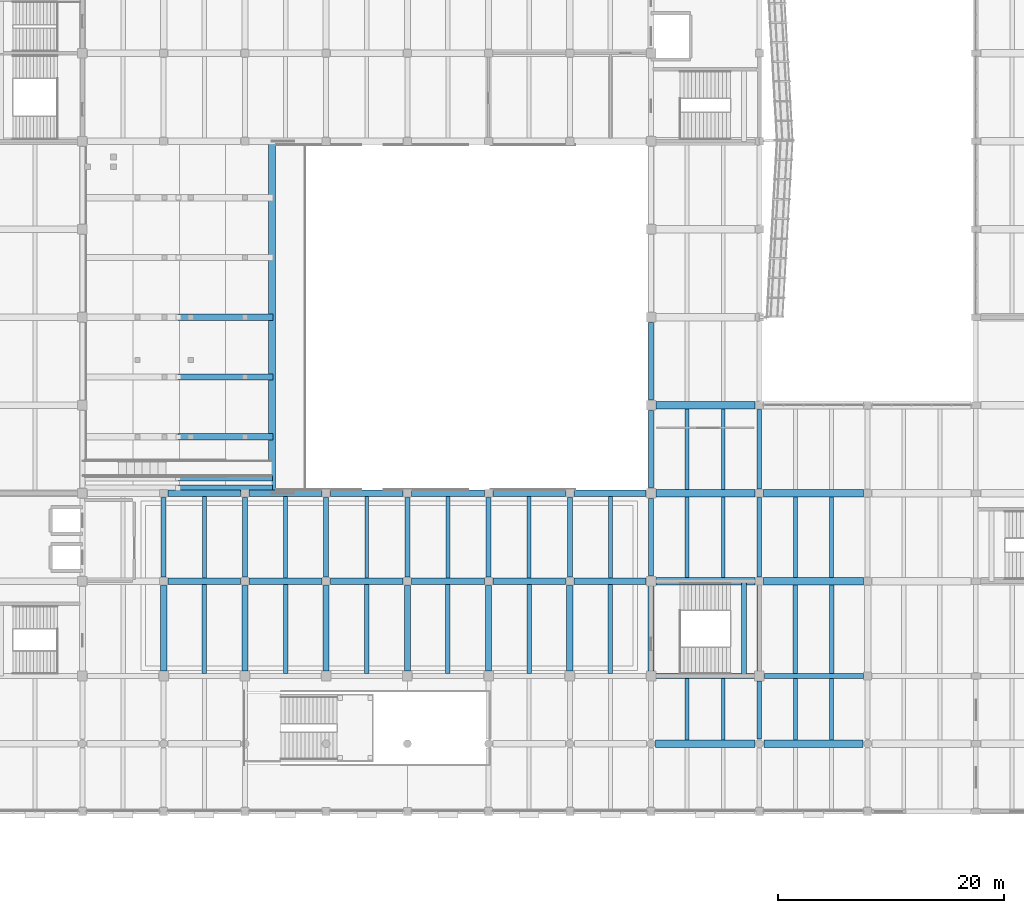
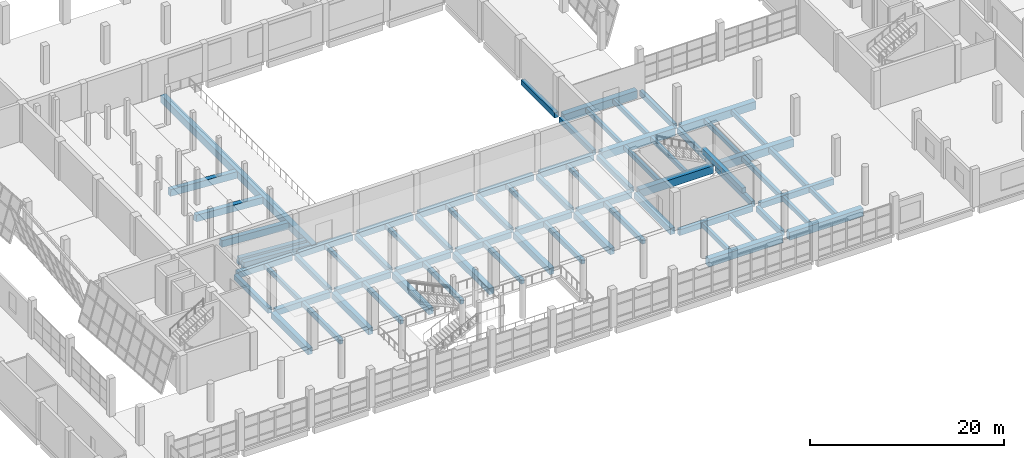
# One storey, part 42 of 91: 72 beams.
"""IFC4 building model written with IfcOpenShell, lengths in metres."""

import ifcopenshell
import ifcopenshell.guid

model = None  # the IFC model being written
_history = None  # IfcOwnerHistory: only IFC2X3 demands one
_inside = {}  # id of a spatial element -> (the spatial element, [elements in it])
_under = {}  # id of a project, library or spatial element -> (it, [spatial elements below it])
_declared = {}  # id of a project -> (the project, [libraries it declares])
_typed = {}  # id of a type object -> (the type object, [elements of that type])
_made_of = {}  # id of a material, layer set ... -> (it, [elements and type objects made of it])


def new_model(schema):
    """Start an empty IFC model of exactly this schema.

    Asked for "IFC4X3", IfcOpenShell would pick the latest addendum, in which some entities
    have other attributes; the version numbers below select the first issue.
    IFC2X3 requires an IfcOwnerHistory on every rooted entity: one is made here for all.
    """
    global model, _history
    if schema == "IFC4X3":
        model = ifcopenshell.file(schema_version=(4, 3, 0, 0))
    else:
        model = ifcopenshell.file(schema=schema)
    _inside.clear()
    _under.clear()
    _declared.clear()
    _typed.clear()
    _made_of.clear()
    _history = None
    if model.schema == "IFC2X3":
        org = make("IfcOrganization", Name="unknown")
        user = make(
            "IfcPersonAndOrganization",
            ThePerson=make("IfcPerson", FamilyName="unknown"),
            TheOrganization=org,
        )
        app = make(
            "IfcApplication",
            ApplicationDeveloper=org,
            Version="unknown",
            ApplicationFullName="unknown",
            ApplicationIdentifier="unknown",
        )
        _history = make(
            "IfcOwnerHistory",
            OwningUser=user,
            OwningApplication=app,
            ChangeAction="ADDED",
            CreationDate=0,
        )
    return model


def make(cls, **values):
    """One entity of the class cls with the attributes given. An attribute that is None is left unset."""
    return model.create_entity(
        cls, **{name: value for name, value in values.items() if value is not None}
    )


def rooted(cls, **values):
    """An entity with a GlobalId (a new one), such as an element, a storey or a relation."""
    return make(cls, GlobalId=ifcopenshell.guid.new(), OwnerHistory=_history, **values)


def si_unit(unit_type, name, prefix=None):
    """IfcSIUnit, for example si_unit("LENGTHUNIT", "METRE", prefix="MILLI")."""
    return make("IfcSIUnit", UnitType=unit_type, Prefix=prefix, Name=name)


def assignment(units):
    """IfcUnitAssignment: the units of a project."""
    return None if units is None else make("IfcUnitAssignment", Units=units)


def point(xyz):
    """IfcCartesianPoint."""
    return None if xyz is None else make("IfcCartesianPoint", Coordinates=xyz)


def direction(xyz):
    """IfcDirection."""
    return None if xyz is None else make("IfcDirection", DirectionRatios=xyz)


def frame(location, z_axis=None, x_axis=None):
    """IfcAxis2Placement3D, a coordinate frame: its origin and axes. An axis left out is left unset."""
    return make(
        "IfcAxis2Placement3D",
        Location=point(location),
        Axis=direction(z_axis),
        RefDirection=direction(x_axis),
    )


def frame_2d(location, x_axis=None):
    """IfcAxis2Placement2D, a coordinate frame in the plane: its origin and x axis."""
    return make(
        "IfcAxis2Placement2D", Location=point(location), RefDirection=direction(x_axis)
    )


def origin():
    """The frame at (0, 0, 0) with its axes left unset."""
    return frame((0.0, 0.0, 0.0))


def origin_2d():
    """The frame at (0, 0) in the plane with its x axis left unset."""
    return frame_2d((0.0, 0.0))


def place(relative_to, where):
    """IfcLocalPlacement: puts the frame where relative to a parent placement (None: the world)."""
    return make(
        "IfcLocalPlacement", PlacementRelTo=relative_to, RelativePlacement=where
    )


def context(
    kind, dimensions, precision=None, world=None, true_north=None, identifier=None
):
    """IfcGeometricRepresentationContext, for example the 3D "Model" context."""
    return make(
        "IfcGeometricRepresentationContext",
        ContextIdentifier=identifier,
        ContextType=kind,
        CoordinateSpaceDimension=dimensions,
        Precision=precision,
        WorldCoordinateSystem=world,
        TrueNorth=true_north,
    )


def subcontext(parent, identifier, kind, view, scale=None):
    """IfcGeometricRepresentationSubContext, for example "Body" below "Model"."""
    return make(
        "IfcGeometricRepresentationSubContext",
        ContextIdentifier=identifier,
        ContextType=kind,
        ParentContext=parent,
        TargetScale=scale,
        TargetView=view,
    )


def project(units=None, contexts=None):
    """IfcProject with its units and contexts."""
    return rooted(
        "IfcProject",
        Name="project",
        RepresentationContexts=contexts,
        UnitsInContext=assignment(units),
    )


def spatial(cls, under=None, at=None, **own):
    """A site, building, storey or space (cls), placed at a placement, below another one or the project."""
    s = rooted(cls, ObjectPlacement=at, **own)
    if under is not None:
        _under.setdefault(under.id(), (under, []))[1].append(s)
    return s


def profile(cls, at=None, kind="AREA", **sizes):
    """A parametric profile (cls). Its sizes go by their IFC names, for example OverallWidth=200.0."""
    return make(cls, ProfileType=kind, Position=at, **sizes)


def rectangle(**sizes):
    """IfcRectangleProfileDef."""
    return profile("IfcRectangleProfileDef", **sizes)


def extrude(swept, where, along, depth):
    """IfcExtrudedAreaSolid: the profile swept, set in the frame where, extruded along a direction by depth."""
    return make(
        "IfcExtrudedAreaSolid",
        SweptArea=swept,
        Position=where,
        ExtrudedDirection=direction(along),
        Depth=depth,
    )


def shape(context_of_items, identifier, shape_type, items):
    """IfcShapeRepresentation: the items that make up one representation, for example the "Body"."""
    return make(
        "IfcShapeRepresentation",
        ContextOfItems=context_of_items,
        RepresentationIdentifier=identifier,
        RepresentationType=shape_type,
        Items=items,
    )


def material(Name=None, Category=None):
    """IfcMaterial."""
    return make("IfcMaterial", Name=Name, Category=Category)


def material_profile(
    of_material, cross_section, Name=None, Category=None, Priority=None
):
    """IfcMaterialProfile: a cross section and its material."""
    return make(
        "IfcMaterialProfile",
        Name=Name,
        Material=of_material,
        Profile=cross_section,
        Priority=Priority,
        Category=Category,
    )


def profile_set(profiles, Name=None, composite=None):
    """IfcMaterialProfileSet."""
    return make(
        "IfcMaterialProfileSet",
        Name=Name,
        MaterialProfiles=profiles,
        CompositeProfile=composite,
    )


def made_of(thing, what):
    """Note that an element or type object is made of a material, layer set ...; save() writes the relation."""
    if what is not None:
        _made_of.setdefault(what.id(), (what, []))[1].append(thing)
    return thing


def type_object(cls, material=None, **own):
    """A type object (cls), such as IfcWallType, which elements share."""
    return made_of(rooted(cls, **own), material)


def element(
    cls,
    number,
    at=None,
    inside=None,
    cuts=None,
    type_object=None,
    material=None,
    context=None,
    identifier="Body",
    shape_type=None,
    held_by="IfcProductDefinitionShape",
    body=None,
    shapes=None,
    **own,
):
    """One element of the class cls, such as IfcWall. Its Tag is "e" and its number.

    at: its placement. inside: the storey or other place that contains it. cuts: it is an
    opening in that element (IfcRelVoidsElement). A single representation is given by context,
    identifier, shape_type and body (its items); several are given by shapes. held_by: the class
    of the entity that holds the representations. save() writes the other relations.
    """
    e = rooted(cls, Tag="e%d" % number, ObjectPlacement=at, **own)
    if body is not None:
        shapes = [shape(context, identifier, shape_type, body)]
    if shapes is not None:
        e.Representation = make(held_by, Representations=shapes)
    if inside is not None:
        _inside.setdefault(inside.id(), (inside, []))[1].append(e)
    if cuts is not None:
        rooted(
            "IfcRelVoidsElement", RelatingBuildingElement=cuts, RelatedOpeningElement=e
        )
    if type_object is not None:
        _typed.setdefault(type_object.id(), (type_object, []))[1].append(e)
    return made_of(e, material)


def aggregate(whole, parts):
    """IfcRelAggregates: a whole, such as a stair, and the parts it consists of."""
    return rooted("IfcRelAggregates", RelatingObject=whole, RelatedObjects=parts)


def save(model, path):
    """Write the relations noted so far, then the file.

    IfcRelAggregates (storeys below a building ...), IfcRelContainedInSpatialStructure (elements
    in a storey), IfcRelDefinesByType, IfcRelAssociatesMaterial and IfcRelDeclares: one each for
    every whole, place, type object, material and project.
    """
    for whole, parts in _under.values():
        aggregate(whole, parts)
    for where, things in _inside.values():
        rooted(
            "IfcRelContainedInSpatialStructure",
            RelatedElements=things,
            RelatingStructure=where,
        )
    for kind, things in _typed.values():
        rooted("IfcRelDefinesByType", RelatedObjects=things, RelatingType=kind)
    for what, things in _made_of.values():
        rooted("IfcRelAssociatesMaterial", RelatedObjects=things, RelatingMaterial=what)
    for by, libraries in _declared.values():
        rooted("IfcRelDeclares", RelatingContext=by, RelatedDefinitions=libraries)
    model.write(path)


model = new_model("IFC4")

# Units and contexts
model_context = context("Model", 3, precision=1e-05, world=origin(), true_north=direction((0.0, 1.0)))
body_context = subcontext(model_context, "Body", "Model", "MODEL_VIEW")
ifc_project = project(units=[si_unit("LENGTHUNIT", "METRE"), si_unit("AREAUNIT", "SQUARE_METRE"), si_unit("VOLUMEUNIT", "CUBIC_METRE"), si_unit("PLANEANGLEUNIT", "RADIAN"), si_unit("MASSUNIT", "GRAM", prefix="KILO")], contexts=[model_context])

# Site, building, storey
site_placement = place(None, origin())
site = spatial("IfcSite", under=ifc_project, at=site_placement, CompositionType="ELEMENT")
building_placement = place(site_placement, origin())
building = spatial("IfcBuilding", under=site, at=building_placement, Name="Pellamere Symphony Hall", CompositionType="ELEMENT")
storey_placement = place(building_placement, frame((0.0, 0.0, 5.39990234375)))
storey = spatial("IfcBuildingStorey", under=building, at=storey_placement, Name="L01", CompositionType="ELEMENT", Elevation=5.39990234375)

# Beams
ifc_material_1 = material(Name="Concrete 40 MPa", Category="concrete")
ifc_material_profile_1 = material_profile(ifc_material_1, rectangle(XDim=0.64990234375, YDim=0.949951171875, at=origin_2d()), Name="RC 650x950")
ifc_profile_set_1 = profile_set([ifc_material_profile_1], Name="Concrete 40 MPa")
beam_type_1 = type_object("IfcBeamType", Name="RC CB-03 650x950", PredefinedType="BEAM", material=ifc_profile_set_1)
beam_1_placement = place(storey_placement, frame((75.60009765625, 46.199951171875, -0.60498046875), z_axis=(0.0, 1.0, 0.0), x_axis=(-1.0, 0.0, 0.0)))
element("IfcBeam", 1, at=beam_1_placement, inside=storey, type_object=beam_type_1, Name="Stand Dress Circle Raker Support Girder 22", PredefinedType="BEAM", context=body_context, shape_type="SweptSolid", body=[
    extrude(rectangle(XDim=0.64990234375, YDim=0.949951171875, at=origin_2d()), origin(), (0.0, 0.0, 1.0), 31.199951171875),
])
ifc_material_profile_2 = material_profile(ifc_material_1, rectangle(XDim=0.550048828125, YDim=0.800048828125, at=origin_2d()), Name="RC 550x800")
ifc_profile_set_2 = profile_set([ifc_material_profile_2], Name="Concrete 40 MPa")
beam_type_2 = type_object("IfcBeamType", Name="RC CB-05 550x800", PredefinedType="BEAM", material=ifc_profile_set_2)
for number, where, z_axis, x_axis, name in (
    (2, (66.0, 30.449951171875, -0.679931640625), (0.0, 1.0, 0.0), (-1.0, 0.0, 0.0), "Girder CB-05-Y0771 (L01)"),
    (3, (73.199951171875, 30.449951171875, -0.679931640625), (0.0, 1.0, 0.0), (-1.0, 0.0, 0.0), "Girder CB-05-Y0777 (L01)"),
    (4, (80.39990234375, 30.449951171875, -0.679931640625), (0.0, 1.0, 0.0), (-1.0, 0.0, 0.0), "Girder CB-05-Y0781 (L01)"),
    (5, (87.60009765625, 30.449951171875, -0.679931640625), (0.0, 1.0, 0.0), (-1.0, 0.0, 0.0), "Girder CB-05-Y0785 (L01)"),
    (6, (94.800048828125, 30.449951171875, -0.679931640625), (0.0, 1.0, 0.0), (-1.0, 0.0, 0.0), "Girder CB-05-Y0794 (L01)"),
    (7, (102.0, 30.449951171875, -0.679931640625), (0.0, 1.0, 0.0), (-1.0, 0.0, 0.0), "Girder CB-05-Y0803 (L01)"),
):
    element("IfcBeam", number, at=place(storey_placement, frame(where, z_axis=z_axis, x_axis=x_axis)), inside=storey, type_object=beam_type_2, Name=name, PredefinedType="BEAM", context=body_context, shape_type="SweptSolid", body=[
        extrude(rectangle(XDim=0.550048828125, YDim=0.800048828125, at=origin_2d()), origin(), (0.0, 0.0, 1.0), 7.574951171875),
    ])
beam_2_placement = place(storey_placement, frame((109.199951171875, 30.449951171875, -0.679931640625), z_axis=(0.0, 1.0, 0.0), x_axis=(-1.0, 0.0, 0.0)))
element("IfcBeam", 8, at=beam_2_placement, inside=storey, type_object=beam_type_2, Name="Girder CB-05-Y0812 (L01)", PredefinedType="BEAM", context=body_context, shape_type="SweptSolid", body=[
    extrude(rectangle(XDim=0.550048828125, YDim=0.800048828125, at=origin_2d()), origin(), (0.0, 0.0, 1.0), 7.5),
])
ifc_material_profile_3 = material_profile(ifc_material_1, rectangle(XDim=0.449951171875, YDim=0.64990234375, at=origin_2d()), Name="RC 450x650")
ifc_profile_set_3 = profile_set([ifc_material_profile_3], Name="Concrete 40 MPa")
beam_type_3 = type_object("IfcBeamType", Name="RC CB-08 450x650", PredefinedType="BEAM", material=ifc_profile_set_3)
for number, where, z_axis, x_axis, name in (
    (9, (66.0, 38.77490234375, -0.60498046875), (0.0, 1.0, 0.0), (-1.0, 0.0, 0.0), "Girder CB-08-Y0772 (L01)"),
    (10, (73.199951171875, 38.77490234375, -0.60498046875), (0.0, 1.0, 0.0), (-1.0, 0.0, 0.0), "Girder CB-08-Y0778 (L01)"),
    (11, (80.39990234375, 38.77490234375, -0.60498046875), (0.0, 1.0, 0.0), (-1.0, 0.0, 0.0), "Girder CB-08-Y0782 (L01)"),
    (12, (87.60009765625, 38.77490234375, -0.60498046875), (0.0, 1.0, 0.0), (-1.0, 0.0, 0.0), "Girder CB-08-Y0786 (L01)"),
    (13, (94.800048828125, 38.77490234375, -0.60498046875), (0.0, 1.0, 0.0), (-1.0, 0.0, 0.0), "Girder CB-08-Y0795 (L01)"),
    (14, (102.0, 38.77490234375, -0.60498046875), (0.0, 1.0, 0.0), (-1.0, 0.0, 0.0), "Girder CB-08-Y0804 (L01)"),
):
    element("IfcBeam", number, at=place(storey_placement, frame(where, z_axis=z_axis, x_axis=x_axis)), inside=storey, type_object=beam_type_3, Name=name, PredefinedType="BEAM", context=body_context, shape_type="SweptSolid", body=[
        extrude(rectangle(XDim=0.449951171875, YDim=0.64990234375, at=origin_2d()), origin(), (0.0, 0.0, 1.0), 7.050048828125),
    ])
beam_3_placement = place(storey_placement, frame((109.199951171875, 38.85009765625, -0.60498046875), z_axis=(0.0, 1.0, 0.0), x_axis=(-1.0, 0.0, 0.0)))
element("IfcBeam", 15, at=beam_3_placement, inside=storey, type_object=beam_type_3, Name="Girder CB-08-Y0813 (L01)", PredefinedType="BEAM", context=body_context, shape_type="SweptSolid", body=[
    extrude(rectangle(XDim=0.449951171875, YDim=0.64990234375, at=origin_2d()), origin(), (0.0, 0.0, 1.0), 6.89990234375),
])
for number, where, z_axis, x_axis, name in (
    (16, (109.199951171875, 46.64990234375, -0.60498046875), (0.0, 1.0, 0.0), (-1.0, 0.0, 0.0), "Girder CB-08-Y0814 (L01)"),
    (17, (109.199951171875, 54.449951171875, -0.60498046875), (0.0, 1.0, 0.0), (-1.0, 0.0, 0.0), "Girder CB-08-Y0815 (L01)"),
):
    element("IfcBeam", number, at=place(storey_placement, frame(where, z_axis=z_axis, x_axis=x_axis)), inside=storey, type_object=beam_type_3, Name=name, PredefinedType="BEAM", context=body_context, shape_type="SweptSolid", body=[
        extrude(rectangle(XDim=0.449951171875, YDim=0.64990234375, at=origin_2d()), origin(), (0.0, 0.0, 1.0), 6.900146484375),
    ])
beam_4_placement = place(storey_placement, frame((117.4326171875, 29.97998046875, 1.85498046875), z_axis=(0.0, 1.0, 0.0), x_axis=(-1.0, 0.0, 0.0)))
element("IfcBeam", 18, at=beam_4_placement, inside=storey, type_object=beam_type_3, Name="Stair ST08-L01 Half Landing Support Beam (L01)", PredefinedType="BEAM", context=body_context, shape_type="SweptSolid", body=[
    extrude(rectangle(XDim=0.449951171875, YDim=0.64990234375, at=origin_2d()), origin(), (0.0, 0.0, 1.0), 8.43994140625),
])
ifc_material_profile_4 = material_profile(ifc_material_1, rectangle(XDim=0.39990234375, YDim=0.60009765625, at=origin_2d()), Name="RC 400x600")
ifc_profile_set_4 = profile_set([ifc_material_profile_4], Name="Concrete 40 MPa")
beam_type_4 = type_object("IfcBeamType", Name="RC CB-09 400x600", PredefinedType="BEAM", material=ifc_profile_set_4)
for number, where, z_axis, x_axis, name in (
    (19, (69.60009765625, 30.22509765625, -0.594970703125), (0.0, 1.0, 0.0), (-1.0, 0.0, 0.0), "Secondary Floor Beam CB-09-M0804 (L01)"),
    (20, (76.800048828125, 30.22509765625, -0.594970703125), (0.0, 1.0, 0.0), (-1.0, 0.0, 0.0), "Secondary Floor Beam CB-09-M0904 (L01)"),
    (21, (84.0, 30.22509765625, -0.594970703125), (0.0, 1.0, 0.0), (-1.0, 0.0, 0.0), "Secondary Floor Beam CB-09-M1004 (L01)"),
    (22, (91.199951171875, 30.22509765625, -0.594970703125), (0.0, 1.0, 0.0), (-1.0, 0.0, 0.0), "Secondary Floor Beam CB-09-M1104 (L01)"),
    (23, (98.39990234375, 30.22509765625, -0.594970703125), (0.0, 1.0, 0.0), (-1.0, 0.0, 0.0), "Secondary Floor Beam CB-09-M1204 (L01)"),
    (24, (105.60009765625, 30.22509765625, -0.594970703125), (0.0, 1.0, 0.0), (-1.0, 0.0, 0.0), "Secondary Floor Beam CB-09-M1304 (L01)"),
):
    element("IfcBeam", number, at=place(storey_placement, frame(where, z_axis=z_axis, x_axis=x_axis)), inside=storey, type_object=beam_type_4, Name=name, PredefinedType="BEAM", context=body_context, shape_type="SweptSolid", body=[
        extrude(rectangle(XDim=0.39990234375, YDim=0.60009765625, at=origin_2d()), origin(), (0.0, 0.0, 1.0), 7.89501953125),
    ])
for number, where, z_axis, x_axis, name in (
    (25, (122.0, 30.22509765625, -0.594970703125), (0.0, 1.0, 0.0), (-1.0, 0.0, 0.0), "Secondary Floor Beam CB-09-A1504 (L01)"),
    (26, (125.199951171875, 30.22509765625, -0.594970703125), (0.0, 1.0, 0.0), (-1.0, 0.0, 0.0), "Secondary Floor Beam CB-09-B1504 (L01)"),
):
    element("IfcBeam", number, at=place(storey_placement, frame(where, z_axis=z_axis, x_axis=x_axis)), inside=storey, type_object=beam_type_4, Name=name, PredefinedType="BEAM", context=body_context, shape_type="SweptSolid", body=[
        extrude(rectangle(XDim=0.39990234375, YDim=0.60009765625, at=origin_2d()), origin(), (0.0, 0.0, 1.0), 7.8349609375),
    ])
ifc_material_2 = material(Name="Concrete 35 MPa", Category="concrete")
ifc_material_profile_5 = material_profile(ifc_material_2, rectangle(XDim=0.35009765625, YDim=0.550048828125, at=origin_2d()), Name="RC 350x550")
ifc_profile_set_5 = profile_set([ifc_material_profile_5], Name="Concrete 35 MPa")
beam_type_5 = type_object("IfcBeamType", Name="RC CB-10 350x550", PredefinedType="BEAM", material=ifc_profile_set_5)
for number, where, z_axis, x_axis, name in (
    (27, (69.60009765625, 38.679931640625, -0.56982421875), (0.0, 1.0, 0.0), (-1.0, 0.0, 0.0), "Secondary Floor Beam CB-10-M0805 (L01)"),
    (28, (76.800048828125, 38.679931640625, -0.56982421875), (0.0, 1.0, 0.0), (-1.0, 0.0, 0.0), "Secondary Floor Beam CB-10-M0905 (L01)"),
    (29, (84.0, 38.679931640625, -0.56982421875), (0.0, 1.0, 0.0), (-1.0, 0.0, 0.0), "Secondary Floor Beam CB-10-M1005 (L01)"),
    (30, (91.199951171875, 38.679931640625, -0.56982421875), (0.0, 1.0, 0.0), (-1.0, 0.0, 0.0), "Secondary Floor Beam CB-10-M1105 (L01)"),
    (31, (98.39990234375, 38.679931640625, -0.56982421875), (0.0, 1.0, 0.0), (-1.0, 0.0, 0.0), "Secondary Floor Beam CB-10-M1205 (L01)"),
    (32, (105.60009765625, 38.679931640625, -0.56982421875), (0.0, 1.0, 0.0), (-1.0, 0.0, 0.0), "Secondary Floor Beam CB-10-M1305 (L01)"),
):
    element("IfcBeam", number, at=place(storey_placement, frame(where, z_axis=z_axis, x_axis=x_axis)), inside=storey, type_object=beam_type_5, Name=name, PredefinedType="BEAM", context=body_context, shape_type="SweptSolid", body=[
        extrude(rectangle(XDim=0.35009765625, YDim=0.550048828125, at=origin_2d()), origin(), (0.0, 0.0, 1.0), 7.239990234375),
    ])
for number, where, z_axis, x_axis, name in (
    (33, (112.39990234375, 24.340087890625, -0.56982421875), (0.0, 1.0, 0.0), (-1.0, 0.0, 0.0), "Secondary Floor Beam CB-10-A1403 (L01)"),
    (34, (115.60009765625, 24.340087890625, -0.56982421875), (0.0, 1.0, 0.0), (-1.0, 0.0, 0.0), "Secondary Floor Beam CB-10-B1403 (L01)"),
):
    element("IfcBeam", number, at=place(storey_placement, frame(where, z_axis=z_axis, x_axis=x_axis)), inside=storey, type_object=beam_type_5, Name=name, PredefinedType="BEAM", context=body_context, shape_type="SweptSolid", body=[
        extrude(rectangle(XDim=0.35009765625, YDim=0.550048828125, at=origin_2d()), origin(), (0.0, 0.0, 1.0), 5.434814453125),
    ])
for number, where, z_axis, x_axis, name in (
    (35, (112.39990234375, 38.739990234375, -0.56982421875), (0.0, 1.0, 0.0), (-1.0, 0.0, 0.0), "Secondary Floor Beam CB-10-A1405 (L01)"),
    (36, (115.60009765625, 38.739990234375, -0.56982421875), (0.0, 1.0, 0.0), (-1.0, 0.0, 0.0), "Secondary Floor Beam CB-10-B1405 (L01)"),
):
    element("IfcBeam", number, at=place(storey_placement, frame(where, z_axis=z_axis, x_axis=x_axis)), inside=storey, type_object=beam_type_5, Name=name, PredefinedType="BEAM", context=body_context, shape_type="SweptSolid", body=[
        extrude(rectangle(XDim=0.35009765625, YDim=0.550048828125, at=origin_2d()), origin(), (0.0, 0.0, 1.0), 7.1201171875),
    ])
for number, where, z_axis, x_axis, name in (
    (37, (112.39990234375, 46.5400390625, -0.56982421875), (0.0, 1.0, 0.0), (-1.0, 0.0, 0.0), "Secondary Floor Beam CB-10-A1406 (L01)"),
    (38, (115.60009765625, 46.5400390625, -0.56982421875), (0.0, 1.0, 0.0), (-1.0, 0.0, 0.0), "Secondary Floor Beam CB-10-B1406 (L01)"),
):
    element("IfcBeam", number, at=place(storey_placement, frame(where, z_axis=z_axis, x_axis=x_axis)), inside=storey, type_object=beam_type_5, Name=name, PredefinedType="BEAM", context=body_context, shape_type="SweptSolid", body=[
        extrude(rectangle(XDim=0.35009765625, YDim=0.550048828125, at=origin_2d()), origin(), (0.0, 0.0, 1.0), 7.119873046875),
    ])
for number, where, z_axis, x_axis, name in (
    (39, (122.0, 24.340087890625, -0.56982421875), (0.0, 1.0, 0.0), (-1.0, 0.0, 0.0), "Secondary Floor Beam CB-10-A1503 (L01)"),
    (40, (125.199951171875, 24.340087890625, -0.56982421875), (0.0, 1.0, 0.0), (-1.0, 0.0, 0.0), "Secondary Floor Beam CB-10-B1503 (L01)"),
):
    element("IfcBeam", number, at=place(storey_placement, frame(where, z_axis=z_axis, x_axis=x_axis)), inside=storey, type_object=beam_type_5, Name=name, PredefinedType="BEAM", context=body_context, shape_type="SweptSolid", body=[
        extrude(rectangle(XDim=0.35009765625, YDim=0.550048828125, at=origin_2d()), origin(), (0.0, 0.0, 1.0), 5.434814453125),
    ])
for number, where, z_axis, x_axis, name in (
    (41, (122.0, 38.739990234375, -0.56982421875), (0.0, 1.0, 0.0), (-1.0, 0.0, 0.0), "Secondary Floor Beam CB-10-A1505 (L01)"),
    (42, (125.199951171875, 38.739990234375, -0.56982421875), (0.0, 1.0, 0.0), (-1.0, 0.0, 0.0), "Secondary Floor Beam CB-10-B1505 (L01)"),
):
    element("IfcBeam", number, at=place(storey_placement, frame(where, z_axis=z_axis, x_axis=x_axis)), inside=storey, type_object=beam_type_5, Name=name, PredefinedType="BEAM", context=body_context, shape_type="SweptSolid", body=[
        extrude(rectangle(XDim=0.35009765625, YDim=0.550048828125, at=origin_2d()), origin(), (0.0, 0.0, 1.0), 7.1201171875),
    ])
ifc_material_profile_6 = material_profile(ifc_material_1, rectangle(XDim=0.449951171875, YDim=0.75, at=origin_2d()), Name="RC 450x750")
ifc_profile_set_6 = profile_set([ifc_material_profile_6], Name="Concrete 40 MPa")
beam_type_6 = type_object("IfcBeamType", Name="RC CB-12 450x750", PredefinedType="SPANDREL", material=ifc_profile_set_6)
beam_5_placement = place(storey_placement, frame((109.64990234375, 30.0, -0.65478515625), z_axis=(1.0, 0.0, 0.0), x_axis=(0.0, 1.0, 0.0)))
element("IfcBeam", 43, at=beam_5_placement, inside=storey, type_object=beam_type_6, Name="Girder CB-12-X0588 (L01)", PredefinedType="SPANDREL", context=body_context, shape_type="SweptSolid", body=[
    extrude(rectangle(XDim=0.449951171875, YDim=0.75, at=origin_2d()), origin(), (0.0, 0.0, 1.0), 8.7001953125),
])
beam_6_placement = place(storey_placement, frame((119.25, 30.0, -0.65478515625), z_axis=(1.0, 0.0, 0.0), x_axis=(0.0, 1.0, 0.0)))
element("IfcBeam", 44, at=beam_6_placement, inside=storey, type_object=beam_type_6, Name="Girder CB-12-X0589 (L01)", PredefinedType="SPANDREL", context=body_context, shape_type="SweptSolid", body=[
    extrude(rectangle(XDim=0.449951171875, YDim=0.75, at=origin_2d()), origin(), (0.0, 0.0, 1.0), 8.77490234375),
])
ifc_material_profile_7 = material_profile(ifc_material_1, rectangle(XDim=0.39990234375, YDim=0.699951171875, at=origin_2d()), Name="RC 400x700")
ifc_profile_set_7 = profile_set([ifc_material_profile_7], Name="Concrete 40 MPa")
beam_type_7 = type_object("IfcBeamType", Name="RC CB-13 400x700", PredefinedType="SPANDREL", material=ifc_profile_set_7)
beam_7_placement = place(storey_placement, frame((118.800048828125, 24.39990234375, -0.6298828125), z_axis=(0.0, 1.0, 0.0), x_axis=(-1.0, 0.0, 0.0)))
element("IfcBeam", 45, at=beam_7_placement, inside=storey, type_object=beam_type_7, Name="Girder CB-13-Y0824 (L01)", PredefinedType="SPANDREL", context=body_context, shape_type="SweptSolid", body=[
    extrude(rectangle(XDim=0.39990234375, YDim=0.699951171875, at=origin_2d()), origin(), (0.0, 0.0, 1.0), 5.150146484375),
])
beam_8_placement = place(storey_placement, frame((118.800048828125, 30.449951171875, -0.6298828125), z_axis=(0.0, 1.0, 0.0), x_axis=(-1.0, 0.0, 0.0)))
element("IfcBeam", 46, at=beam_8_placement, inside=storey, type_object=beam_type_7, Name="Girder CB-13-Y0825 (L01)", PredefinedType="SPANDREL", context=body_context, shape_type="SweptSolid", body=[
    extrude(rectangle(XDim=0.39990234375, YDim=0.699951171875, at=origin_2d()), origin(), (0.0, 0.0, 1.0), 7.574951171875),
])
for number, where, z_axis, x_axis, name in (
    (47, (118.800048828125, 38.77490234375, -0.6298828125), (0.0, 1.0, 0.0), (-1.0, 0.0, 0.0), "Girder CB-13-Y0826 (L01)"),
    (48, (118.800048828125, 46.574951171875, -0.6298828125), (0.0, 1.0, 0.0), (-1.0, 0.0, 0.0), "Girder CB-13-Y0827 (L01)"),
):
    element("IfcBeam", number, at=place(storey_placement, frame(where, z_axis=z_axis, x_axis=x_axis)), inside=storey, type_object=beam_type_7, Name=name, PredefinedType="SPANDREL", context=body_context, shape_type="SweptSolid", body=[
        extrude(rectangle(XDim=0.39990234375, YDim=0.699951171875, at=origin_2d()), origin(), (0.0, 0.0, 1.0), 7.050048828125),
    ])
ifc_material_profile_8 = material_profile(ifc_material_1, rectangle(XDim=0.56005859375, YDim=0.760009765625, at=origin_2d()), Name="RC 560x760")
ifc_profile_set_8 = profile_set([ifc_material_profile_8], Name="Concrete 40 MPa")
beam_type_8 = type_object("IfcBeamType", Name="RC CB-18 560x760", PredefinedType="BEAM", material=ifc_profile_set_8)
for number, where, z_axis, x_axis, name in (
    (49, (66.375, 38.39990234375, -0.659912109375), (1.0, 0.0, 0.0), (0.0, 1.0, 0.0), "Girder CB-18-X0602 (L01)"),
    (50, (73.574951171875, 38.39990234375, -0.659912109375), (1.0, 0.0, 0.0), (0.0, 1.0, 0.0), "Girder CB-18-X0603 (L01)"),
):
    element("IfcBeam", number, at=place(storey_placement, frame(where, z_axis=z_axis, x_axis=x_axis)), inside=storey, type_object=beam_type_8, Name=name, PredefinedType="BEAM", context=body_context, shape_type="SweptSolid", body=[
        extrude(rectangle(XDim=0.56005859375, YDim=0.760009765625, at=origin_2d()), origin(), (0.0, 0.0, 1.0), 6.449951171875),
    ])
beam_9_placement = place(storey_placement, frame((80.77490234375, 38.39990234375, -0.659912109375), z_axis=(1.0, 0.0, 0.0), x_axis=(0.0, 1.0, 0.0)))
element("IfcBeam", 51, at=beam_9_placement, inside=storey, type_object=beam_type_8, Name="Girder CB-18-X0604 (L01)", PredefinedType="BEAM", context=body_context, shape_type="SweptSolid", body=[
    extrude(rectangle(XDim=0.56005859375, YDim=0.760009765625, at=origin_2d()), origin(), (0.0, 0.0, 1.0), 6.4501953125),
])
for number, where, z_axis, x_axis, name in (
    (52, (87.97509765625, 38.39990234375, -0.659912109375), (1.0, 0.0, 0.0), (0.0, 1.0, 0.0), "Girder CB-18-X0605 (L01)"),
    (53, (95.175048828125, 38.39990234375, -0.659912109375), (1.0, 0.0, 0.0), (0.0, 1.0, 0.0), "Girder CB-18-X0606 (L01)"),
):
    element("IfcBeam", number, at=place(storey_placement, frame(where, z_axis=z_axis, x_axis=x_axis)), inside=storey, type_object=beam_type_8, Name=name, PredefinedType="BEAM", context=body_context, shape_type="SweptSolid", body=[
        extrude(rectangle(XDim=0.56005859375, YDim=0.760009765625, at=origin_2d()), origin(), (0.0, 0.0, 1.0), 6.449951171875),
    ])
beam_10_placement = place(storey_placement, frame((102.375, 38.39990234375, -0.659912109375), z_axis=(1.0, 0.0, 0.0), x_axis=(0.0, 1.0, 0.0)))
element("IfcBeam", 54, at=beam_10_placement, inside=storey, type_object=beam_type_8, Name="Girder CB-18-X0607 (L01)", PredefinedType="BEAM", context=body_context, shape_type="SweptSolid", body=[
    extrude(rectangle(XDim=0.56005859375, YDim=0.760009765625, at=origin_2d()), origin(), (0.0, 0.0, 1.0), 6.375),
])
for number, where, z_axis, x_axis, name in (
    (55, (66.375, 46.199951171875, -0.659912109375), (1.0, 0.0, 0.0), (0.0, 1.0, 0.0), "Girder CB-18-X0622 (L01)"),
    (56, (73.574951171875, 46.199951171875, -0.659912109375), (1.0, 0.0, 0.0), (0.0, 1.0, 0.0), "Girder CB-18-X0623 (L01)"),
):
    element("IfcBeam", number, at=place(storey_placement, frame(where, z_axis=z_axis, x_axis=x_axis)), inside=storey, type_object=beam_type_8, Name=name, PredefinedType="BEAM", context=body_context, shape_type="SweptSolid", body=[
        extrude(rectangle(XDim=0.56005859375, YDim=0.760009765625, at=origin_2d()), origin(), (0.0, 0.0, 1.0), 6.449951171875),
    ])
beam_11_placement = place(storey_placement, frame((80.77490234375, 46.199951171875, -0.659912109375), z_axis=(1.0, 0.0, 0.0), x_axis=(0.0, 1.0, 0.0)))
element("IfcBeam", 57, at=beam_11_placement, inside=storey, type_object=beam_type_8, Name="Girder CB-18-X0624 (L01)", PredefinedType="BEAM", context=body_context, shape_type="SweptSolid", body=[
    extrude(rectangle(XDim=0.56005859375, YDim=0.760009765625, at=origin_2d()), origin(), (0.0, 0.0, 1.0), 6.4501953125),
])
for number, where, z_axis, x_axis, name in (
    (58, (87.97509765625, 46.199951171875, -0.659912109375), (1.0, 0.0, 0.0), (0.0, 1.0, 0.0), "Girder CB-18-X0625 (L01)"),
    (59, (95.175048828125, 46.199951171875, -0.659912109375), (1.0, 0.0, 0.0), (0.0, 1.0, 0.0), "Girder CB-18-X0626 (L01)"),
):
    element("IfcBeam", number, at=place(storey_placement, frame(where, z_axis=z_axis, x_axis=x_axis)), inside=storey, type_object=beam_type_8, Name=name, PredefinedType="BEAM", context=body_context, shape_type="SweptSolid", body=[
        extrude(rectangle(XDim=0.56005859375, YDim=0.760009765625, at=origin_2d()), origin(), (0.0, 0.0, 1.0), 6.449951171875),
    ])
beam_12_placement = place(storey_placement, frame((102.375, 46.199951171875, -0.659912109375), z_axis=(1.0, 0.0, 0.0), x_axis=(0.0, 1.0, 0.0)))
element("IfcBeam", 60, at=beam_12_placement, inside=storey, type_object=beam_type_8, Name="Girder CB-18-X0627 (L01)", PredefinedType="BEAM", context=body_context, shape_type="SweptSolid", body=[
    extrude(rectangle(XDim=0.56005859375, YDim=0.760009765625, at=origin_2d()), origin(), (0.0, 0.0, 1.0), 6.375),
])
ifc_material_profile_9 = material_profile(ifc_material_1, rectangle(XDim=0.679931640625, YDim=0.97998046875, at=origin_2d()), Name="RC 680x980")
ifc_profile_set_9 = profile_set([ifc_material_profile_9], Name="Concrete 40 MPa")
beam_type_9 = type_object("IfcBeamType", Name="RC CB-22 680x980", PredefinedType="BEAM", material=ifc_profile_set_9)
beam_13_placement = place(storey_placement, frame((109.60009765625, 24.0, -0.77001953125), z_axis=(1.0, 0.0, 0.0), x_axis=(0.0, 1.0, 0.0)))
element("IfcBeam", 61, at=beam_13_placement, inside=storey, type_object=beam_type_9, Name="Girder CB-22-X0570 (L01)", PredefinedType="BEAM", context=body_context, shape_type="SweptSolid", body=[
    extrude(rectangle(XDim=0.679931640625, YDim=0.97998046875, at=origin_2d()), origin(), (0.0, 0.0, 1.0), 8.7998046875),
])
beam_14_placement = place(storey_placement, frame((119.199951171875, 24.0, -0.77001953125), z_axis=(1.0, 0.0, 0.0), x_axis=(0.0, 1.0, 0.0)))
element("IfcBeam", 62, at=beam_14_placement, inside=storey, type_object=beam_type_9, Name="Girder CB-22-X0571 (L01)", PredefinedType="BEAM", context=body_context, shape_type="SweptSolid", body=[
    extrude(rectangle(XDim=0.679931640625, YDim=0.97998046875, at=origin_2d()), origin(), (0.0, 0.0, 1.0), 8.800048828125),
])
beam_15_placement = place(storey_placement, frame((109.64990234375, 38.39990234375, -0.77001953125), z_axis=(1.0, 0.0, 0.0), x_axis=(0.0, 1.0, 0.0)))
element("IfcBeam", 63, at=beam_15_placement, inside=storey, type_object=beam_type_9, Name="Girder CB-22-X0608 (L01)", PredefinedType="BEAM", context=body_context, shape_type="SweptSolid", body=[
    extrude(rectangle(XDim=0.679931640625, YDim=0.97998046875, at=origin_2d()), origin(), (0.0, 0.0, 1.0), 8.775146484375),
])
beam_16_placement = place(storey_placement, frame((119.175048828125, 38.39990234375, -0.77001953125), z_axis=(1.0, 0.0, 0.0), x_axis=(0.0, 1.0, 0.0)))
element("IfcBeam", 64, at=beam_16_placement, inside=storey, type_object=beam_type_9, Name="Girder CB-22-X0609 (L01)", PredefinedType="BEAM", context=body_context, shape_type="SweptSolid", body=[
    extrude(rectangle(XDim=0.679931640625, YDim=0.97998046875, at=origin_2d()), origin(), (0.0, 0.0, 1.0), 8.849853515625),
])
beam_17_placement = place(storey_placement, frame((109.64990234375, 46.199951171875, -0.77001953125), z_axis=(1.0, 0.0, 0.0), x_axis=(0.0, 1.0, 0.0)))
element("IfcBeam", 65, at=beam_17_placement, inside=storey, type_object=beam_type_9, Name="Girder CB-22-X0628 (L01)", PredefinedType="BEAM", context=body_context, shape_type="SweptSolid", body=[
    extrude(rectangle(XDim=0.679931640625, YDim=0.97998046875, at=origin_2d()), origin(), (0.0, 0.0, 1.0), 8.775146484375),
])
beam_18_placement = place(storey_placement, frame((119.175048828125, 46.199951171875, -0.77001953125), z_axis=(1.0, 0.0, 0.0), x_axis=(0.0, 1.0, 0.0)))
element("IfcBeam", 66, at=beam_18_placement, inside=storey, type_object=beam_type_9, Name="Girder CB-22-X0629 (L01)", PredefinedType="BEAM", context=body_context, shape_type="SweptSolid", body=[
    extrude(rectangle(XDim=0.679931640625, YDim=0.97998046875, at=origin_2d()), origin(), (0.0, 0.0, 1.0), 8.849853515625),
])
beam_19_placement = place(storey_placement, frame((109.64990234375, 54.0, -0.77001953125), z_axis=(1.0, 0.0, 0.0), x_axis=(0.0, 1.0, 0.0)))
element("IfcBeam", 67, at=beam_19_placement, inside=storey, type_object=beam_type_9, Name="Girder CB-22-X0641 (L01)", PredefinedType="BEAM", context=body_context, shape_type="SweptSolid", body=[
    extrude(rectangle(XDim=0.679931640625, YDim=0.97998046875, at=origin_2d()), origin(), (0.0, 0.0, 1.0), 8.775146484375),
])
ifc_material_profile_10 = material_profile(ifc_material_1, rectangle(XDim=0.550048828125, YDim=0.85009765625, at=origin_2d()), Name="RC 550x850")
ifc_profile_set_10 = profile_set([ifc_material_profile_10], Name="Concrete 40 MPa")
beam_type_10 = type_object("IfcBeamType", Name="RC RK-02 550x850", PredefinedType="BEAM", material=ifc_profile_set_10)
for number, where, z_axis, x_axis, name in (
    (68, (75.60009765625, 46.64990234375, -0.60498046875), (-0.998016426092, 0.0, 0.062954056672), (0.0, -1.0, 0.0), "Stand Dress Circle Raker Beam RK-02-023"),
    (69, (75.60009765625, 47.550048828125, -0.60498046875), (-0.998016426092, 0.0, 0.062954056672), (0.0, -1.0, 0.0), "Stand Dress Circle Raker Beam RK-02-025"),
):
    element("IfcBeam", number, at=place(storey_placement, frame(where, z_axis=z_axis, x_axis=x_axis)), inside=storey, type_object=beam_type_10, Name=name, PredefinedType="BEAM", context=body_context, shape_type="SweptSolid", body=[
        extrude(rectangle(XDim=0.550048828125, YDim=0.85009765625, at=origin_2d()), origin(), (0.0, 0.0, 1.0), 8.341796875),
    ])
for number, where, z_axis, x_axis, name in (
    (70, (75.675048828125, 51.199951171875, -0.60498046875), (-0.998052465112, 0.0, 0.062380100067), (0.0, -1.0, 0.0), "Stand Dress Circle Raker Beam RK-02-027"),
    (71, (75.675048828125, 56.5, -0.60498046875), (-0.998052465112, 0.0, 0.062380100067), (0.0, -1.0, 0.0), "Stand Dress Circle Raker Beam RK-02-029"),
    (72, (75.675048828125, 61.800048828125, -0.60498046875), (-0.998052465112, 0.0, 0.062380100067), (0.0, -1.0, 0.0), "Stand Dress Circle Raker Beam RK-02-031"),
):
    element("IfcBeam", number, at=place(storey_placement, frame(where, z_axis=z_axis, x_axis=x_axis)), inside=storey, type_object=beam_type_10, Name=name, PredefinedType="BEAM", context=body_context, shape_type="SweptSolid", body=[
        extrude(rectangle(XDim=0.550048828125, YDim=0.85009765625, at=origin_2d()), origin(), (0.0, 0.0, 1.0), 8.37939453125),
    ])

save(model, "model.ifc")
